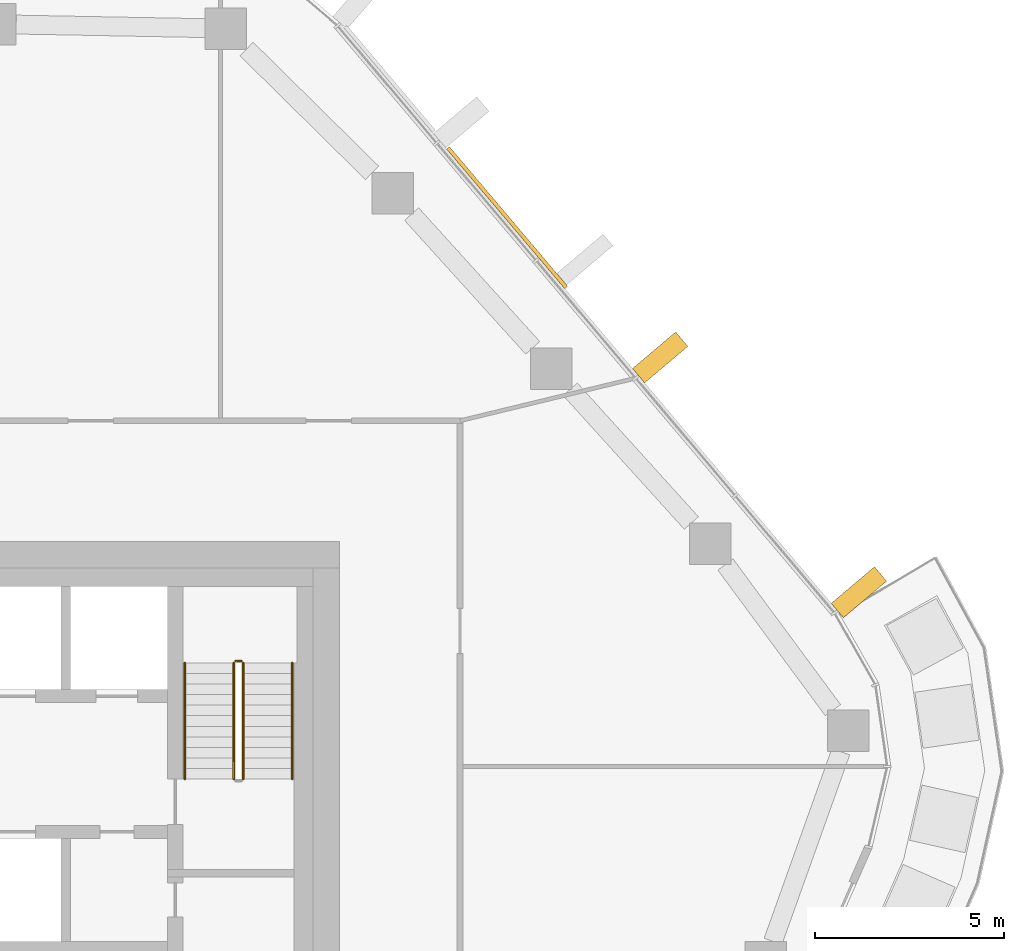
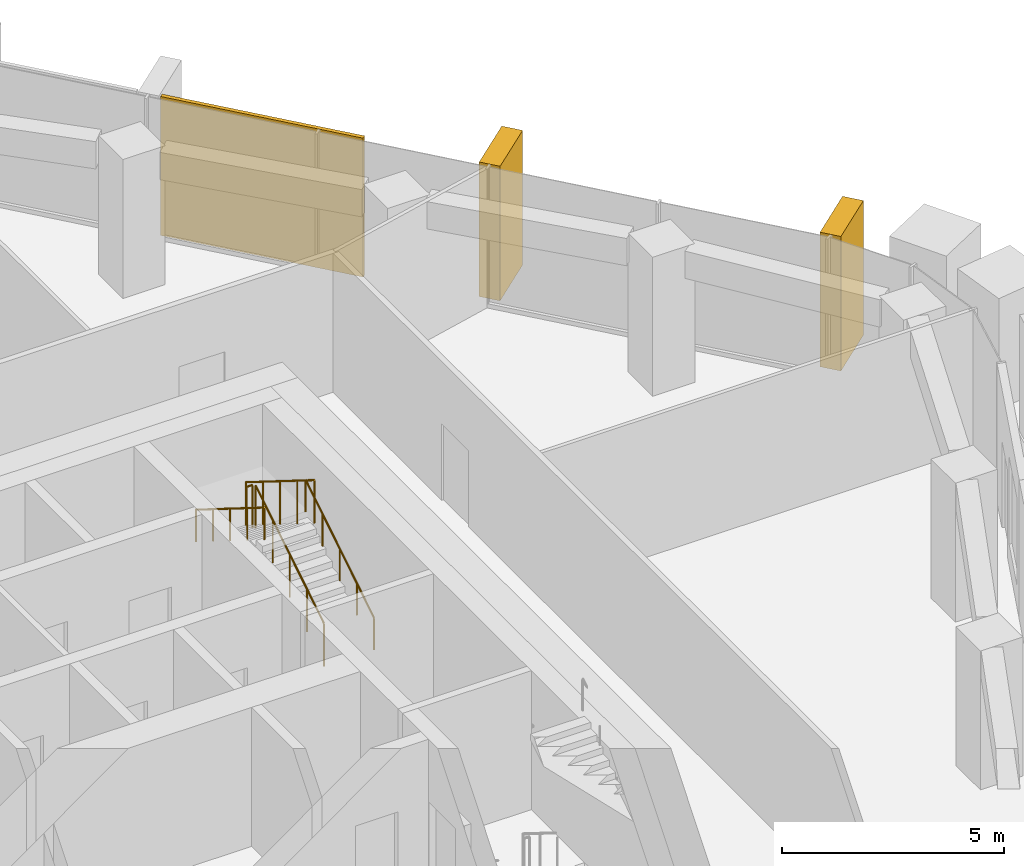
# One storey, part 20 of 21: 5 railings, 3 coverings, 1 element without a shape of its own.
"""IFC4 building model written with IfcOpenShell, lengths in metres."""

from ifc_helpers import new_model, si_unit, direction, frame, origin, origin_2d, place, context, subcontext, project, spatial, rectangle, circle, extrude, material, layer, layer_set, material_profile, profile_set, type_object, element, aggregate, save


model = new_model("IFC4")

# Units and contexts
model_context = context("Model", 3, precision=1e-05, world=origin(), true_north=direction((0.0, 1.0)))
body_context = subcontext(model_context, "Body", "Model", "MODEL_VIEW")
ifc_project = project(units=[si_unit("LENGTHUNIT", "METRE"), si_unit("AREAUNIT", "SQUARE_METRE"), si_unit("VOLUMEUNIT", "CUBIC_METRE"), si_unit("PLANEANGLEUNIT", "RADIAN"), si_unit("MASSUNIT", "GRAM", prefix="KILO")], contexts=[model_context])

# Site, building, storey
site_placement = place(None, origin())
site = spatial("IfcSite", under=ifc_project, at=site_placement, CompositionType="ELEMENT")
building_placement = place(site_placement, origin())
building = spatial("IfcBuilding", under=site, at=building_placement, Name="Dongbaek Canopy Tower", CompositionType="ELEMENT")
storey_placement = place(building_placement, frame((0.0, 0.0, 270.60009765625)))
storey = spatial("IfcBuildingStorey", under=building, at=storey_placement, Name="L57", CompositionType="ELEMENT", Elevation=270.60009765625)

# Curtain wall, coverings
ifc_material_1 = material(Name="Aluminium 6063-T6 pale anodised", Category="aluminium")
ifc_layer_1 = layer(ifc_material_1, 0.199951171875)
ifc_layer_set_1 = layer_set([ifc_layer_1], Name="CW-1 unitised tower curtain wall")
curtain_wall_type = type_object("IfcCurtainWallType", Name="CW-1 unitised tower curtain wall", PredefinedType="NOTDEFINED", material=ifc_layer_set_1)
curtain_wall_placement = place(storey_placement, origin())
curtain_wall = element("IfcCurtainWall", 1, at=curtain_wall_placement, inside=storey, type_object=curtain_wall_type, Name="CW-1 curtain wall F0.1", PredefinedType="NOTDEFINED")
ifc_material_2 = material(Name="Perforated aluminium 6063-T6 pale metal screen", Category="aluminium")
ifc_layer_2 = layer(ifc_material_2, 0.10009765625)
ifc_layer_set_2 = layer_set([ifc_layer_2], Name="Facet screen FS1 100 pale metal")
covering_type_1 = type_object("IfcCoveringType", Name="Facet screen FS1 100 pale metal", PredefinedType="CLADDING", material=ifc_layer_set_2)
covering_1_placement = place(storey_placement, frame((18.448486328125, 19.583984375, 0.0), z_axis=(0.0, 0.0, 1.0), x_axis=(-0.6460547082, 0.763291106991, 0.0)))
covering_1 = element("IfcCovering", 2, at=covering_1_placement, type_object=covering_type_1, Name="Facet screen L57 F0", PredefinedType="CLADDING", context=body_context, shape_type="SweptSolid", body=[
    extrude(rectangle(XDim=4.849853515625, YDim=0.10009765625, at=origin_2d()), origin(), (0.0, 0.0, 1.0), 3.820068359375),
])
ifc_material_3 = material(Name="Aluminium 6063-T6 pale metal fin", Category="aluminium")
ifc_material_profile = material_profile(ifc_material_3, rectangle(XDim=1.5, YDim=0.5, at=origin_2d()), Name="Fin FN1 500 x 1500 pale metal")
ifc_profile_set = profile_set([ifc_material_profile], Name="Aluminium 6063-T6 pale metal fin")
covering_type_2 = type_object("IfcCoveringType", Name="Fin FN1 500 x 1500 pale metal", PredefinedType="CLADDING", material=ifc_profile_set)
covering_2_placement = place(storey_placement, frame((27.77587890625, 9.65380859375, 0.119873046875), z_axis=(0.0, 0.0, 1.0), x_axis=(0.763290756517, 0.646055122273, 0.0)))
covering_2 = element("IfcCovering", 3, at=covering_2_placement, type_object=covering_type_2, Name="Fin F0.1.1", PredefinedType="CLADDING", context=body_context, shape_type="SweptSolid", body=[
    extrude(rectangle(XDim=1.5, YDim=0.5, at=origin_2d()), origin(), (0.0, 0.0, 1.0), 3.699951171875),
])
covering_3_placement = place(storey_placement, frame((22.5068359375, 15.87890625, 0.119873046875), z_axis=(0.0, 0.0, 1.0), x_axis=(0.763290756517, 0.646055122273, 0.0)))
covering_3 = element("IfcCovering", 4, at=covering_3_placement, type_object=covering_type_2, Name="Fin F0.1.3", PredefinedType="CLADDING", context=body_context, shape_type="SweptSolid", body=[
    extrude(rectangle(XDim=1.5, YDim=0.5, at=origin_2d()), origin(), (0.0, 0.0, 1.0), 3.699951171875),
])
aggregate(curtain_wall, [covering_2, covering_3, covering_1])

# Railings
ifc_material_4 = material(Name="Stainless steel tube and balusters", Category="steel")
railing_type_1 = type_object("IfcRailingType", Name="Stair guard 1200", PredefinedType="GUARDRAIL", material=ifc_material_4)
railing_1_placement = place(storey_placement, frame((11.449951171875, 4.699951171875, 0.1748046875)))
element("IfcRailing", 5, at=railing_1_placement, inside=storey, type_object=railing_type_1, Name="L57 ST-A stair guard 1", PredefinedType="GUARDRAIL", context=body_context, shape_type="SweptSolid", body=[
    extrude(circle(Radius=0.02392578125, at=origin_2d()), frame((0.0, 0.0, 1.17578125), z_axis=(0.0, 0.847998304005, 0.529998940003), x_axis=(-1.0, 0.0, 0.0)), (0.0, 0.0, 1.0), 3.632080078125),
    extrude(circle(Radius=0.02099609375, at=origin_2d()), origin(), (0.0, 0.0, 1.0), 1.15185546875),
    extrude(circle(Radius=0.02099609375, at=origin_2d()), frame((0.0, 0.77001953125, 0.481201171875)), (0.0, 0.0, 1.0), 1.15185546875),
    extrude(circle(Radius=0.02099609375, at=origin_2d()), frame((0.0, 1.5400390625, 0.96240234375)), (0.0, 0.0, 1.0), 1.15185546875),
    extrude(circle(Radius=0.02099609375, at=origin_2d()), frame((0.0, 2.31005859375, 1.44384765625)), (0.0, 0.0, 1.0), 1.15185546875),
    extrude(circle(Radius=0.02099609375, at=origin_2d()), frame((0.0, 3.080078125, 1.925048828125)), (0.0, 0.0, 1.0), 1.15185546875),
])
railing_2_placement = place(storey_placement, frame((11.39990234375, 7.830078125, 2.099853515625)))
element("IfcRailing", 6, at=railing_2_placement, inside=storey, type_object=railing_type_1, Name="L57 ST-A stair guard 2", PredefinedType="GUARDRAIL", context=body_context, shape_type="SweptSolid", body=[
    extrude(circle(Radius=0.02392578125, at=origin_2d()), frame((0.0, 0.0, 1.17578125), z_axis=(-1.0, 0.0, 0.0), x_axis=(0.0, -1.0, 0.0)), (0.0, 0.0, 1.0), 0.14990234375),
    extrude(circle(Radius=0.02099609375, at=origin_2d()), origin(), (0.0, 0.0, 1.0), 1.15185546875),
    extrude(circle(Radius=0.02099609375, at=origin_2d()), frame((-0.14990234375, 0.0, 0.0)), (0.0, 0.0, 1.0), 1.15185546875),
])
railing_3_placement = place(storey_placement, frame((11.199951171875, 7.780029296875, 2.27490234375)))
element("IfcRailing", 7, at=railing_3_placement, inside=storey, type_object=railing_type_1, Name="L57 ST-A stair guard 3", PredefinedType="GUARDRAIL", context=body_context, shape_type="SweptSolid", body=[
    extrude(circle(Radius=0.02392578125, at=origin_2d()), frame((0.0, 0.0, 1.17578125), z_axis=(0.0, -0.847998304005, 0.529998940003), x_axis=(1.0, 0.0, 0.0)), (0.0, 0.0, 1.0), 3.632080078125),
    extrude(circle(Radius=0.02099609375, at=origin_2d()), origin(), (0.0, 0.0, 1.0), 1.15185546875),
    extrude(circle(Radius=0.02099609375, at=origin_2d()), frame((0.0, -0.77001953125, 0.481201171875)), (0.0, 0.0, 1.0), 1.15185546875),
    extrude(circle(Radius=0.02099609375, at=origin_2d()), frame((0.0, -1.5400390625, 0.96240234375)), (0.0, 0.0, 1.0), 1.15185546875),
    extrude(circle(Radius=0.02099609375, at=origin_2d()), frame((0.0, -2.31005859375, 1.44384765625)), (0.0, 0.0, 1.0), 1.15185546875),
    extrude(circle(Radius=0.02099609375, at=origin_2d()), frame((0.0, -3.080078125, 1.925048828125)), (0.0, 0.0, 1.0), 1.15185546875),
])
ifc_material_5 = material(Name="Stainless steel tube", Category="steel")
railing_type_2 = type_object("IfcRailingType", Name="Stair handrail 900", PredefinedType="HANDRAIL", material=ifc_material_5)
railing_4_placement = place(storey_placement, frame((12.75, 4.699951171875, 0.1748046875)))
element("IfcRailing", 8, at=railing_4_placement, inside=storey, type_object=railing_type_2, Name="L57 ST-A stair handrail 1", PredefinedType="HANDRAIL", context=body_context, shape_type="SweptSolid", body=[
    extrude(circle(Radius=0.02392578125, at=origin_2d()), frame((0.0, 0.0, 0.8759765625), z_axis=(0.0, 0.847998304005, 0.529998940003), x_axis=(-1.0, 0.0, 0.0)), (0.0, 0.0, 1.0), 3.632080078125),
    extrude(circle(Radius=0.02099609375, at=origin_2d()), origin(), (0.0, 0.0, 1.0), 0.851806640625),
    extrude(circle(Radius=0.02099609375, at=origin_2d()), frame((0.0, 0.77001953125, 0.481201171875)), (0.0, 0.0, 1.0), 0.851806640625),
    extrude(circle(Radius=0.02099609375, at=origin_2d()), frame((0.0, 1.5400390625, 0.96240234375)), (0.0, 0.0, 1.0), 0.851806640625),
    extrude(circle(Radius=0.02099609375, at=origin_2d()), frame((0.0, 2.31005859375, 1.44384765625)), (0.0, 0.0, 1.0), 0.851806640625),
    extrude(circle(Radius=0.02099609375, at=origin_2d()), frame((0.0, 3.080078125, 1.925048828125)), (0.0, 0.0, 1.0), 0.851806640625),
])
railing_5_placement = place(storey_placement, frame((9.89990234375, 7.780029296875, 2.27490234375)))
element("IfcRailing", 9, at=railing_5_placement, inside=storey, type_object=railing_type_2, Name="L57 ST-A stair handrail 2", PredefinedType="HANDRAIL", context=body_context, shape_type="SweptSolid", body=[
    extrude(circle(Radius=0.02392578125, at=origin_2d()), frame((0.0, 0.0, 0.8759765625), z_axis=(0.0, -0.847998304005, 0.529998940003), x_axis=(1.0, 0.0, 0.0)), (0.0, 0.0, 1.0), 3.632080078125),
    extrude(circle(Radius=0.02099609375, at=origin_2d()), origin(), (0.0, 0.0, 1.0), 0.851806640625),
    extrude(circle(Radius=0.02099609375, at=origin_2d()), frame((0.0, -0.77001953125, 0.481201171875)), (0.0, 0.0, 1.0), 0.851806640625),
    extrude(circle(Radius=0.02099609375, at=origin_2d()), frame((0.0, -1.5400390625, 0.96240234375)), (0.0, 0.0, 1.0), 0.851806640625),
    extrude(circle(Radius=0.02099609375, at=origin_2d()), frame((0.0, -2.31005859375, 1.44384765625)), (0.0, 0.0, 1.0), 0.851806640625),
    extrude(circle(Radius=0.02099609375, at=origin_2d()), frame((0.0, -3.080078125, 1.925048828125)), (0.0, 0.0, 1.0), 0.851806640625),
])

save(model, "model.ifc")
